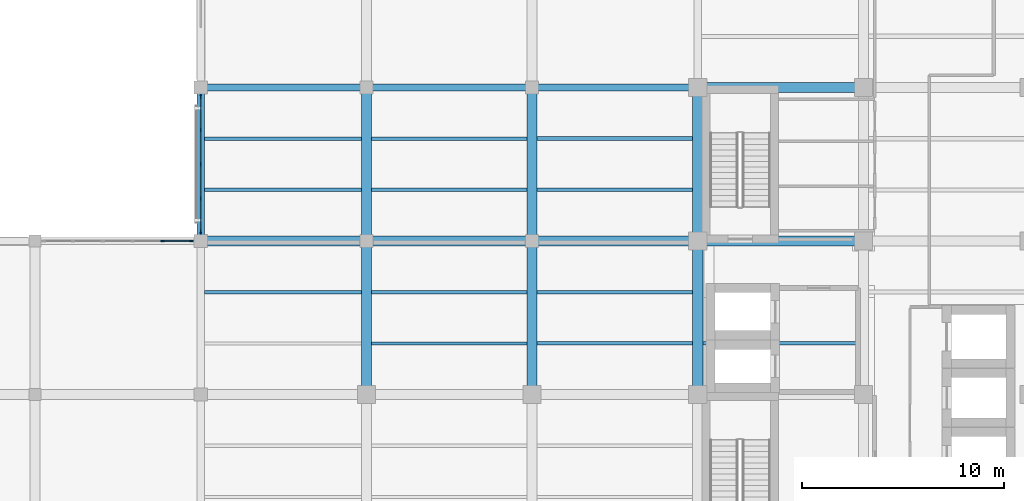
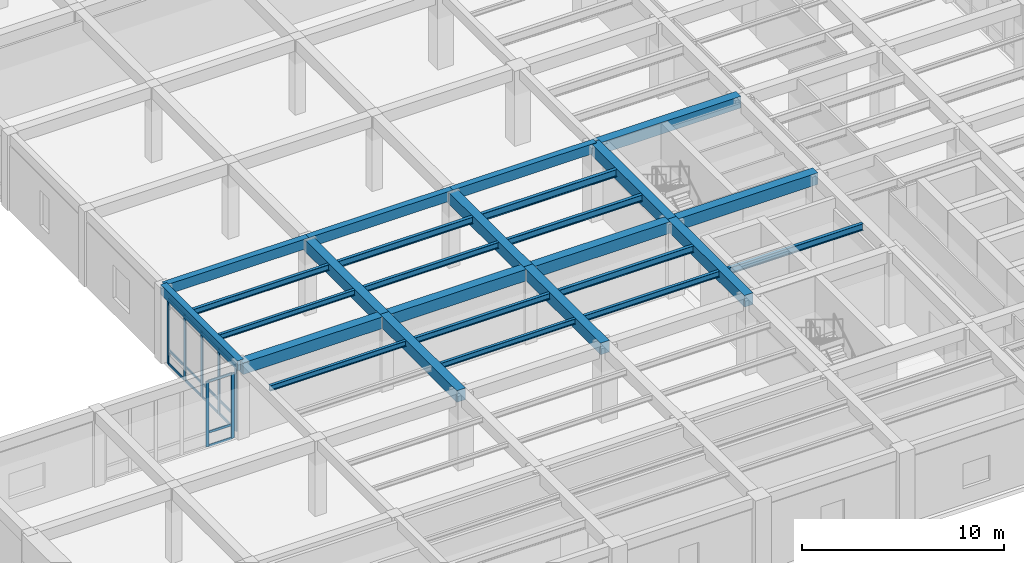
# One storey, part 12 of 49: 27 beams, 22 members, 2 elements without a shape of their own.
"""IFC4 building model written with IfcOpenShell, lengths in metres."""

from ifc_helpers import new_model, si_unit, direction, frame, origin, origin_2d, place, context, subcontext, project, spatial, rectangle, i_section, extrude, material, material_profile, profile_set, type_object, element, aggregate, save


model = new_model("IFC4")

# Units and contexts
model_context = context("Model", 3, precision=1e-05, world=origin(), true_north=direction((0.0, 1.0)))
body_context = subcontext(model_context, "Body", "Model", "MODEL_VIEW")
ifc_project = project(units=[si_unit("LENGTHUNIT", "METRE"), si_unit("AREAUNIT", "SQUARE_METRE"), si_unit("VOLUMEUNIT", "CUBIC_METRE"), si_unit("PLANEANGLEUNIT", "RADIAN"), si_unit("MASSUNIT", "GRAM", prefix="KILO")], contexts=[model_context])

# Site, building, storey
site_placement = place(None, origin())
site = spatial("IfcSite", under=ifc_project, at=site_placement, CompositionType="ELEMENT")
building_placement = place(site_placement, origin())
building = spatial("IfcBuilding", under=site, at=building_placement, Name="Qandaris Square Conservatory and Botanical Centre", CompositionType="ELEMENT")
storey_placement = place(building_placement, frame((0.0, 0.0, 10.199951171875)))
storey = spatial("IfcBuildingStorey", under=building, at=storey_placement, Name="L02", CompositionType="ELEMENT", Elevation=10.199951171875)

# Beams
ifc_material_1 = material(Name="Steel S355", Category="steel")
ifc_material_profile_1 = material_profile(ifc_material_1, i_section(OverallWidth=0.18994140625, OverallDepth=0.449951171875, WebThickness=0.009521484375, FlangeThickness=0.0146484375, FilletRadius=0.02099609375, at=origin_2d()), Name="IPE 450")
ifc_profile_set_1 = profile_set([ifc_material_profile_1], Name="Steel S355")
beam_type_1 = type_object("IfcBeamType", Name="Composite Archive Joist IPE 450", PredefinedType="JOIST", material=ifc_profile_set_1)
beam_1_placement = place(storey_placement, frame((131.25, 44.466796875, 4.275146484375), z_axis=(1.0, 0.0, 0.0), x_axis=(0.0, 1.0, 0.0)))
element("IfcBeam", 1, at=beam_1_placement, inside=storey, type_object=beam_type_1, Name="L02 Composite Joist 1484", PredefinedType="JOIST", context=body_context, shape_type="SweptSolid", body=[
    extrude(i_section(OverallWidth=0.18994140625, OverallDepth=0.449951171875, WebThickness=0.009521484375, FlangeThickness=0.0146484375, FilletRadius=0.02099609375, at=origin_2d()), origin(), (0.0, 0.0, 1.0), 7.699951171875),
])
ifc_material_profile_2 = material_profile(ifc_material_1, i_section(OverallWidth=0.159912109375, OverallDepth=0.330078125, WebThickness=0.007568359375, FlangeThickness=0.011474609375, FilletRadius=0.01806640625, at=origin_2d()), Name="IPE 330")
ifc_profile_set_2 = profile_set([ifc_material_profile_2], Name="Steel S355")
beam_type_2 = type_object("IfcBeamType", Name="Composite Lab Joist IPE 330", PredefinedType="JOIST", material=ifc_profile_set_2)
for number, where, z_axis, x_axis, name in (
    (2, (114.77490234375, 36.86669921875, 4.3349609375), (1.0, 0.0, 0.0), (0.0, 1.0, 0.0), "L02 Composite Joist 1466"),
    (3, (114.77490234375, 41.933349609375, 4.3349609375), (1.0, 0.0, 0.0), (0.0, 1.0, 0.0), "L02 Composite Joist 1467"),
):
    element("IfcBeam", number, at=place(storey_placement, frame(where, z_axis=z_axis, x_axis=x_axis)), inside=storey, type_object=beam_type_2, Name=name, PredefinedType="JOIST", context=body_context, shape_type="SweptSolid", body=[
        extrude(i_section(OverallWidth=0.159912109375, OverallDepth=0.330078125, WebThickness=0.007568359375, FlangeThickness=0.011474609375, FilletRadius=0.01806640625, at=origin_2d()), origin(), (0.0, 0.0, 1.0), 7.775146484375),
    ])
beam_2_placement = place(storey_placement, frame((123.050048828125, 34.333251953125, 4.3349609375), z_axis=(1.0, 0.0, 0.0), x_axis=(0.0, 1.0, 0.0)))
element("IfcBeam", 4, at=beam_2_placement, inside=storey, type_object=beam_type_2, Name="L02 Composite Joist 1473", PredefinedType="JOIST", context=body_context, shape_type="SweptSolid", body=[
    extrude(i_section(OverallWidth=0.159912109375, OverallDepth=0.330078125, WebThickness=0.007568359375, FlangeThickness=0.011474609375, FilletRadius=0.01806640625, at=origin_2d()), origin(), (0.0, 0.0, 1.0), 7.699951171875),
])
ifc_material_profile_3 = material_profile(ifc_material_1, i_section(OverallWidth=0.169921875, OverallDepth=0.360107421875, WebThickness=0.008056640625, FlangeThickness=0.0126953125, FilletRadius=0.01806640625, at=origin_2d()), Name="IPE 360")
ifc_profile_set_3 = profile_set([ifc_material_profile_3], Name="Steel S355")
beam_type_3 = type_object("IfcBeamType", Name="Composite Lab Joist IPE 360", PredefinedType="JOIST", material=ifc_profile_set_3)
beam_3_placement = place(storey_placement, frame((114.77490234375, 44.466796875, 4.320068359375), z_axis=(1.0, 0.0, 0.0), x_axis=(0.0, 1.0, 0.0)))
element("IfcBeam", 5, at=beam_3_placement, inside=storey, type_object=beam_type_3, Name="L02 Composite Joist 1468", PredefinedType="JOIST", context=body_context, shape_type="SweptSolid", body=[
    extrude(i_section(OverallWidth=0.169921875, OverallDepth=0.360107421875, WebThickness=0.008056640625, FlangeThickness=0.0126953125, FilletRadius=0.01806640625, at=origin_2d()), origin(), (0.0, 0.0, 1.0), 7.775146484375),
])
for number, where, z_axis, x_axis, name in (
    (6, (123.050048828125, 36.86669921875, 4.320068359375), (1.0, 0.0, 0.0), (0.0, 1.0, 0.0), "L02 Composite Joist 1474"),
    (7, (123.050048828125, 41.933349609375, 4.320068359375), (1.0, 0.0, 0.0), (0.0, 1.0, 0.0), "L02 Composite Joist 1475"),
    (8, (131.25, 34.333251953125, 4.320068359375), (1.0, 0.0, 0.0), (0.0, 1.0, 0.0), "L02 Composite Joist 1481"),
):
    element("IfcBeam", number, at=place(storey_placement, frame(where, z_axis=z_axis, x_axis=x_axis)), inside=storey, type_object=beam_type_3, Name=name, PredefinedType="JOIST", context=body_context, shape_type="SweptSolid", body=[
        extrude(i_section(OverallWidth=0.169921875, OverallDepth=0.360107421875, WebThickness=0.008056640625, FlangeThickness=0.0126953125, FilletRadius=0.01806640625, at=origin_2d()), origin(), (0.0, 0.0, 1.0), 7.699951171875),
    ])
ifc_material_profile_4 = material_profile(ifc_material_1, i_section(OverallWidth=0.179931640625, OverallDepth=0.39990234375, WebThickness=0.008544921875, FlangeThickness=0.013427734375, FilletRadius=0.02099609375, at=origin_2d()), Name="IPE 400")
ifc_profile_set_4 = profile_set([ifc_material_profile_4], Name="Steel S355")
beam_type_4 = type_object("IfcBeamType", Name="Composite Plinth Joist IPE 400", PredefinedType="JOIST", material=ifc_profile_set_4)
for number, where, z_axis, x_axis, name in (
    (9, (123.050048828125, 44.466796875, 4.300048828125), (1.0, 0.0, 0.0), (0.0, 1.0, 0.0), "L02 Composite Joist 1476"),
    (10, (131.25, 36.86669921875, 4.300048828125), (1.0, 0.0, 0.0), (0.0, 1.0, 0.0), "L02 Composite Joist 1482"),
    (11, (131.25, 41.933349609375, 4.300048828125), (1.0, 0.0, 0.0), (0.0, 1.0, 0.0), "L02 Composite Joist 1483"),
    (12, (139.449951171875, 34.333251953125, 4.300048828125), (1.0, 0.0, 0.0), (0.0, 1.0, 0.0), "L02 Composite Joist 1487"),
):
    element("IfcBeam", number, at=place(storey_placement, frame(where, z_axis=z_axis, x_axis=x_axis)), inside=storey, type_object=beam_type_4, Name=name, PredefinedType="JOIST", context=body_context, shape_type="SweptSolid", body=[
        extrude(i_section(OverallWidth=0.179931640625, OverallDepth=0.39990234375, WebThickness=0.008544921875, FlangeThickness=0.013427734375, FilletRadius=0.02099609375, at=origin_2d()), origin(), (0.0, 0.0, 1.0), 7.699951171875),
    ])

# Curtain wall, members
ifc_material_2 = material(Name="Anodised Aluminium", Category="aluminium")
curtain_wall_type_1 = type_object("IfcCurtainWallType", Name="Unitised Curtain Wall CW-4-675x394", PredefinedType="USERDEFINED", material=ifc_material_2)
curtain_wall_1_placement = place(storey_placement, origin())
curtain_wall_1 = element("IfcCurtainWall", 13, at=curtain_wall_1_placement, inside=storey, type_object=curtain_wall_type_1, Name="Curtain Wall CW-TWR-L02-4-8", ObjectType="GLAZED CURTAIN WALL", PredefinedType="USERDEFINED")
ifc_material_profile_5 = material_profile(ifc_material_2, rectangle(XDim=0.06494140625, YDim=0.179931640625, at=origin_2d()), Name="ALU-MUL 65x180")
ifc_profile_set_5 = profile_set([ifc_material_profile_5], Name="Anodised Aluminium")
member_type_1 = type_object("IfcMemberType", Name="Curtain Wall Mullion 65x180", PredefinedType="MULLION", material=ifc_profile_set_5)
member_1_placement = place(storey_placement, frame((114.60009765625, 46.54248046875, 0.0), z_axis=(0.0, 0.0, 1.0), x_axis=(1.0, 0.0, 0.0)))
member_1 = element("IfcMember", 14, at=member_1_placement, type_object=member_type_1, Name="CW-4-675x394 mullion 1", PredefinedType="MULLION", context=body_context, shape_type="SweptSolid", body=[
    extrude(rectangle(XDim=0.06494140625, YDim=0.179931640625, at=origin_2d()), origin(), (0.0, 0.0, 1.0), 3.945068359375),
])
member_2_placement = place(storey_placement, frame((114.60009765625, 44.887451171875, 0.0), z_axis=(0.0, 0.0, 1.0), x_axis=(1.0, 0.0, 0.0)))
member_2 = element("IfcMember", 15, at=member_2_placement, type_object=member_type_1, Name="CW-4-675x394 mullion 2", PredefinedType="MULLION", context=body_context, shape_type="SweptSolid", body=[
    extrude(rectangle(XDim=0.06494140625, YDim=0.179931640625, at=origin_2d()), origin(), (0.0, 0.0, 1.0), 3.945068359375),
])
member_3_placement = place(storey_placement, frame((114.60009765625, 43.199951171875, 0.0), z_axis=(0.0, 0.0, 1.0), x_axis=(1.0, 0.0, 0.0)))
member_3 = element("IfcMember", 16, at=member_3_placement, type_object=member_type_1, Name="CW-4-675x394 mullion 3", PredefinedType="MULLION", context=body_context, shape_type="SweptSolid", body=[
    extrude(rectangle(XDim=0.06494140625, YDim=0.179931640625, at=origin_2d()), origin(), (0.0, 0.0, 1.0), 3.945068359375),
])
member_4_placement = place(storey_placement, frame((114.60009765625, 41.512451171875, 0.0), z_axis=(0.0, 0.0, 1.0), x_axis=(1.0, 0.0, 0.0)))
member_4 = element("IfcMember", 17, at=member_4_placement, type_object=member_type_1, Name="CW-4-675x394 mullion 4", PredefinedType="MULLION", context=body_context, shape_type="SweptSolid", body=[
    extrude(rectangle(XDim=0.06494140625, YDim=0.179931640625, at=origin_2d()), origin(), (0.0, 0.0, 1.0), 3.945068359375),
])
member_5_placement = place(storey_placement, frame((114.60009765625, 39.857421875, 0.0), z_axis=(0.0, 0.0, 1.0), x_axis=(1.0, 0.0, 0.0)))
member_5 = element("IfcMember", 18, at=member_5_placement, type_object=member_type_1, Name="CW-4-675x394 mullion 5", PredefinedType="MULLION", context=body_context, shape_type="SweptSolid", body=[
    extrude(rectangle(XDim=0.06494140625, YDim=0.179931640625, at=origin_2d()), origin(), (0.0, 0.0, 1.0), 3.945068359375),
])

curtain_wall_type_2 = type_object("IfcCurtainWallType", Name="Unitised Curtain Wall CW-4-738x394", PredefinedType="USERDEFINED", material=ifc_material_2)
curtain_wall_2_placement = place(storey_placement, origin())
curtain_wall_2 = element("IfcCurtainWall", 19, at=curtain_wall_2_placement, inside=storey, type_object=curtain_wall_type_2, Name="Curtain Wall CW-TWR-L02-5-1", ObjectType="GLAZED CURTAIN WALL", PredefinedType="USERDEFINED")
member_6_placement = place(storey_placement, frame((114.142578125, 39.39990234375, 0.0), z_axis=(0.0, 0.0, 1.0), x_axis=(0.0, -1.0, 0.0)))
member_6 = element("IfcMember", 20, at=member_6_placement, type_object=member_type_1, Name="CW-4-738x394 mullion 1", PredefinedType="MULLION", context=body_context, shape_type="SweptSolid", body=[
    extrude(rectangle(XDim=0.06494140625, YDim=0.179931640625, at=origin_2d()), origin(), (0.0, 0.0, 1.0), 3.945068359375),
])
member_7_placement = place(storey_placement, frame((112.699951171875, 39.39990234375, 0.0), z_axis=(0.0, 0.0, 1.0), x_axis=(0.0, -1.0, 0.0)))
member_7 = element("IfcMember", 21, at=member_7_placement, type_object=member_type_1, Name="CW-4-738x394 mullion 2", PredefinedType="MULLION", context=body_context, shape_type="SweptSolid", body=[
    extrude(rectangle(XDim=0.06494140625, YDim=0.179931640625, at=origin_2d()), origin(), (0.0, 0.0, 1.0), 3.945068359375),
])

# Member
ifc_material_profile_6 = material_profile(ifc_material_2, rectangle(XDim=0.06494140625, YDim=0.139892578125, at=origin_2d()), Name="ALU-TRN 65x140")
ifc_profile_set_6 = profile_set([ifc_material_profile_6], Name="Anodised Aluminium")
member_type_2 = type_object("IfcMemberType", Name="Curtain Wall Transom 65x140", PredefinedType="USERDEFINED", material=ifc_profile_set_6)
member_8_placement = place(storey_placement, frame((114.60009765625, 46.510009765625, 0.032470703125), z_axis=(0.0, -1.0, 0.0), x_axis=(1.0, 0.0, 0.0)))
member_8 = element("IfcMember", 22, at=member_8_placement, type_object=member_type_2, Name="CW-4-675x394 transom 1.1", ObjectType="TRANSOM", PredefinedType="USERDEFINED", context=body_context, shape_type="SweptSolid", body=[
    extrude(rectangle(XDim=0.06494140625, YDim=0.139892578125, at=origin_2d()), origin(), (0.0, 0.0, 1.0), 1.590087890625),
])

member_9_placement = place(storey_placement, frame((114.60009765625, 46.510009765625, 0.85009765625), z_axis=(0.0, -1.0, 0.0), x_axis=(1.0, 0.0, 0.0)))
member_9 = element("IfcMember", 23, at=member_9_placement, type_object=member_type_2, Name="CW-4-675x394 transom 1.2", ObjectType="TRANSOM", PredefinedType="USERDEFINED", context=body_context, shape_type="SweptSolid", body=[
    extrude(rectangle(XDim=0.06494140625, YDim=0.139892578125, at=origin_2d()), origin(), (0.0, 0.0, 1.0), 1.590087890625),
])

member_10_placement = place(storey_placement, frame((114.60009765625, 46.510009765625, 3.91259765625), z_axis=(0.0, -1.0, 0.0), x_axis=(1.0, 0.0, 0.0)))
member_10 = element("IfcMember", 24, at=member_10_placement, type_object=member_type_2, Name="CW-4-675x394 transom 1.3", ObjectType="TRANSOM", PredefinedType="USERDEFINED", context=body_context, shape_type="SweptSolid", body=[
    extrude(rectangle(XDim=0.06494140625, YDim=0.139892578125, at=origin_2d()), origin(), (0.0, 0.0, 1.0), 1.590087890625),
])

member_11_placement = place(storey_placement, frame((114.60009765625, 44.85498046875, 0.032470703125), z_axis=(0.0, -1.0, 0.0), x_axis=(1.0, 0.0, 0.0)))
member_11 = element("IfcMember", 25, at=member_11_placement, type_object=member_type_2, Name="CW-4-675x394 transom 2.1", ObjectType="TRANSOM", PredefinedType="USERDEFINED", context=body_context, shape_type="SweptSolid", body=[
    extrude(rectangle(XDim=0.06494140625, YDim=0.139892578125, at=origin_2d()), origin(), (0.0, 0.0, 1.0), 1.62255859375),
])

member_12_placement = place(storey_placement, frame((114.60009765625, 44.85498046875, 0.85009765625), z_axis=(0.0, -1.0, 0.0), x_axis=(1.0, 0.0, 0.0)))
member_12 = element("IfcMember", 26, at=member_12_placement, type_object=member_type_2, Name="CW-4-675x394 transom 2.2", ObjectType="TRANSOM", PredefinedType="USERDEFINED", context=body_context, shape_type="SweptSolid", body=[
    extrude(rectangle(XDim=0.06494140625, YDim=0.139892578125, at=origin_2d()), origin(), (0.0, 0.0, 1.0), 1.62255859375),
])

member_13_placement = place(storey_placement, frame((114.60009765625, 44.85498046875, 3.91259765625), z_axis=(0.0, -1.0, 0.0), x_axis=(1.0, 0.0, 0.0)))
member_13 = element("IfcMember", 27, at=member_13_placement, type_object=member_type_2, Name="CW-4-675x394 transom 2.3", ObjectType="TRANSOM", PredefinedType="USERDEFINED", context=body_context, shape_type="SweptSolid", body=[
    extrude(rectangle(XDim=0.06494140625, YDim=0.139892578125, at=origin_2d()), origin(), (0.0, 0.0, 1.0), 1.62255859375),
])

member_14_placement = place(storey_placement, frame((114.60009765625, 43.16748046875, 0.032470703125), z_axis=(0.0, -1.0, 0.0), x_axis=(1.0, 0.0, 0.0)))
member_14 = element("IfcMember", 28, at=member_14_placement, type_object=member_type_2, Name="CW-4-675x394 transom 3.1", ObjectType="TRANSOM", PredefinedType="USERDEFINED", context=body_context, shape_type="SweptSolid", body=[
    extrude(rectangle(XDim=0.06494140625, YDim=0.139892578125, at=origin_2d()), origin(), (0.0, 0.0, 1.0), 1.62255859375),
])

member_15_placement = place(storey_placement, frame((114.60009765625, 43.16748046875, 0.85009765625), z_axis=(0.0, -1.0, 0.0), x_axis=(1.0, 0.0, 0.0)))
member_15 = element("IfcMember", 29, at=member_15_placement, type_object=member_type_2, Name="CW-4-675x394 transom 3.2", ObjectType="TRANSOM", PredefinedType="USERDEFINED", context=body_context, shape_type="SweptSolid", body=[
    extrude(rectangle(XDim=0.06494140625, YDim=0.139892578125, at=origin_2d()), origin(), (0.0, 0.0, 1.0), 1.62255859375),
])

member_16_placement = place(storey_placement, frame((114.60009765625, 43.16748046875, 3.91259765625), z_axis=(0.0, -1.0, 0.0), x_axis=(1.0, 0.0, 0.0)))
member_16 = element("IfcMember", 30, at=member_16_placement, type_object=member_type_2, Name="CW-4-675x394 transom 3.3", ObjectType="TRANSOM", PredefinedType="USERDEFINED", context=body_context, shape_type="SweptSolid", body=[
    extrude(rectangle(XDim=0.06494140625, YDim=0.139892578125, at=origin_2d()), origin(), (0.0, 0.0, 1.0), 1.62255859375),
])

member_17_placement = place(storey_placement, frame((114.60009765625, 41.47998046875, 0.032470703125), z_axis=(0.0, -1.0, 0.0), x_axis=(1.0, 0.0, 0.0)))
member_17 = element("IfcMember", 31, at=member_17_placement, type_object=member_type_2, Name="CW-4-675x394 transom 4.1", ObjectType="TRANSOM", PredefinedType="USERDEFINED", context=body_context, shape_type="SweptSolid", body=[
    extrude(rectangle(XDim=0.06494140625, YDim=0.139892578125, at=origin_2d()), origin(), (0.0, 0.0, 1.0), 1.590087890625),
])

member_18_placement = place(storey_placement, frame((114.60009765625, 41.47998046875, 0.85009765625), z_axis=(0.0, -1.0, 0.0), x_axis=(1.0, 0.0, 0.0)))
member_18 = element("IfcMember", 32, at=member_18_placement, type_object=member_type_2, Name="CW-4-675x394 transom 4.2", ObjectType="TRANSOM", PredefinedType="USERDEFINED", context=body_context, shape_type="SweptSolid", body=[
    extrude(rectangle(XDim=0.06494140625, YDim=0.139892578125, at=origin_2d()), origin(), (0.0, 0.0, 1.0), 1.590087890625),
])

member_19_placement = place(storey_placement, frame((114.60009765625, 41.47998046875, 3.91259765625), z_axis=(0.0, -1.0, 0.0), x_axis=(1.0, 0.0, 0.0)))
member_19 = element("IfcMember", 33, at=member_19_placement, type_object=member_type_2, Name="CW-4-675x394 transom 4.3", ObjectType="TRANSOM", PredefinedType="USERDEFINED", context=body_context, shape_type="SweptSolid", body=[
    extrude(rectangle(XDim=0.06494140625, YDim=0.139892578125, at=origin_2d()), origin(), (0.0, 0.0, 1.0), 1.590087890625),
])

aggregate(curtain_wall_1, [member_1, member_2, member_3, member_4, member_5, member_8, member_9, member_10, member_11, member_12, member_13, member_14, member_15, member_16, member_17, member_18, member_19])

member_20_placement = place(storey_placement, frame((114.110107421875, 39.39990234375, 0.032470703125), z_axis=(-1.0, 0.0, 0.0), x_axis=(0.0, -1.0, 0.0)))
member_20 = element("IfcMember", 34, at=member_20_placement, type_object=member_type_2, Name="CW-4-738x394 transom 1.1", ObjectType="TRANSOM", PredefinedType="USERDEFINED", context=body_context, shape_type="SweptSolid", body=[
    extrude(rectangle(XDim=0.06494140625, YDim=0.139892578125, at=origin_2d()), origin(), (0.0, 0.0, 1.0), 1.377685546875),
])

member_21_placement = place(storey_placement, frame((114.110107421875, 39.39990234375, 0.85009765625), z_axis=(-1.0, 0.0, 0.0), x_axis=(0.0, -1.0, 0.0)))
member_21 = element("IfcMember", 35, at=member_21_placement, type_object=member_type_2, Name="CW-4-738x394 transom 1.2", ObjectType="TRANSOM", PredefinedType="USERDEFINED", context=body_context, shape_type="SweptSolid", body=[
    extrude(rectangle(XDim=0.06494140625, YDim=0.139892578125, at=origin_2d()), origin(), (0.0, 0.0, 1.0), 1.377685546875),
])

member_22_placement = place(storey_placement, frame((114.110107421875, 39.39990234375, 3.91259765625), z_axis=(-1.0, 0.0, 0.0), x_axis=(0.0, -1.0, 0.0)))
member_22 = element("IfcMember", 36, at=member_22_placement, type_object=member_type_2, Name="CW-4-738x394 transom 1.3", ObjectType="TRANSOM", PredefinedType="USERDEFINED", context=body_context, shape_type="SweptSolid", body=[
    extrude(rectangle(XDim=0.06494140625, YDim=0.139892578125, at=origin_2d()), origin(), (0.0, 0.0, 1.0), 1.377685546875),
])

aggregate(curtain_wall_2, [member_6, member_7, member_20, member_21, member_22])

# Beams
ifc_material_3 = material(Name="Concrete C50/60", Category="concrete")
ifc_material_profile_7 = material_profile(ifc_material_3, rectangle(XDim=0.35009765625, YDim=0.60009765625, at=origin_2d()), Name="RC-SP 350x600")
ifc_profile_set_7 = profile_set([ifc_material_profile_7], Name="Concrete C50/60")
beam_type_5 = type_object("IfcBeamType", Name="RC Edge Spandrel Beam 350x600", PredefinedType="SPANDREL", material=ifc_profile_set_7)
for number, where, z_axis, x_axis, name in (
    (37, (114.60009765625, 47.0, 4.2451171875), (1.0, 0.0, 0.0), (0.0, 1.0, 0.0), "L02 Frame Beam 1330"),
    (38, (122.800048828125, 47.0, 4.2451171875), (1.0, 0.0, 0.0), (0.0, 1.0, 0.0), "L02 Frame Beam 1331"),
    (39, (131.0, 47.0, 4.2451171875), (1.0, 0.0, 0.0), (0.0, 1.0, 0.0), "L02 Frame Beam 1332"),
):
    element("IfcBeam", number, at=place(storey_placement, frame(where, z_axis=z_axis, x_axis=x_axis)), inside=storey, type_object=beam_type_5, Name=name, PredefinedType="SPANDREL", context=body_context, shape_type="SweptSolid", body=[
        extrude(rectangle(XDim=0.35009765625, YDim=0.60009765625, at=origin_2d()), origin(), (0.0, 0.0, 1.0), 8.199951171875),
    ])
beam_4_placement = place(storey_placement, frame((114.60009765625, 39.39990234375, 4.2451171875), z_axis=(0.0, 1.0, 0.0), x_axis=(-1.0, 0.0, 0.0)))
element("IfcBeam", 40, at=beam_4_placement, inside=storey, type_object=beam_type_5, Name="L02 Frame Beam 1387", PredefinedType="SPANDREL", context=body_context, shape_type="SweptSolid", body=[
    extrude(rectangle(XDim=0.35009765625, YDim=0.60009765625, at=origin_2d()), origin(), (0.0, 0.0, 1.0), 7.60009765625),
])
ifc_material_profile_8 = material_profile(ifc_material_3, rectangle(XDim=0.5, YDim=0.699951171875, at=origin_2d()), Name="RC-BM 500x700")
ifc_profile_set_8 = profile_set([ifc_material_profile_8], Name="Concrete C50/60")
beam_type_6 = type_object("IfcBeamType", Name="RC Floor Girder 500x700", PredefinedType="BEAM", material=ifc_profile_set_8)
for number, where, z_axis, x_axis, name in (
    (41, (114.60009765625, 39.39990234375, 4.16015625), (1.0, 0.0, 0.0), (0.0, 1.0, 0.0), "L02 Frame Beam 1324"),
    (42, (122.800048828125, 39.39990234375, 4.16015625), (1.0, 0.0, 0.0), (0.0, 1.0, 0.0), "L02 Frame Beam 1325"),
    (43, (131.0, 39.39990234375, 4.16015625), (1.0, 0.0, 0.0), (0.0, 1.0, 0.0), "L02 Frame Beam 1326"),
    (44, (139.199951171875, 39.39990234375, 4.16015625), (1.0, 0.0, 0.0), (0.0, 1.0, 0.0), "L02 Frame Beam 1327"),
    (45, (139.199951171875, 47.0, 4.16015625), (1.0, 0.0, 0.0), (0.0, 1.0, 0.0), "L02 Frame Beam 1333"),
):
    element("IfcBeam", number, at=place(storey_placement, frame(where, z_axis=z_axis, x_axis=x_axis)), inside=storey, type_object=beam_type_6, Name=name, PredefinedType="BEAM", context=body_context, shape_type="SweptSolid", body=[
        extrude(rectangle(XDim=0.5, YDim=0.699951171875, at=origin_2d()), origin(), (0.0, 0.0, 1.0), 8.199951171875),
    ])
beam_5_placement = place(storey_placement, frame((122.800048828125, 31.800048828125, 4.16015625), z_axis=(0.0, 1.0, 0.0), x_axis=(-1.0, 0.0, 0.0)))
element("IfcBeam", 46, at=beam_5_placement, inside=storey, type_object=beam_type_6, Name="L02 Frame Beam 1397", PredefinedType="BEAM", context=body_context, shape_type="SweptSolid", body=[
    extrude(rectangle(XDim=0.5, YDim=0.699951171875, at=origin_2d()), origin(), (0.0, 0.0, 1.0), 7.599853515625),
])
beam_6_placement = place(storey_placement, frame((122.800048828125, 39.39990234375, 4.16015625), z_axis=(0.0, 1.0, 0.0), x_axis=(-1.0, 0.0, 0.0)))
element("IfcBeam", 47, at=beam_6_placement, inside=storey, type_object=beam_type_6, Name="L02 Frame Beam 1398", PredefinedType="BEAM", context=body_context, shape_type="SweptSolid", body=[
    extrude(rectangle(XDim=0.5, YDim=0.699951171875, at=origin_2d()), origin(), (0.0, 0.0, 1.0), 7.60009765625),
])
beam_7_placement = place(storey_placement, frame((131.0, 31.800048828125, 4.16015625), z_axis=(0.0, 1.0, 0.0), x_axis=(-1.0, 0.0, 0.0)))
element("IfcBeam", 48, at=beam_7_placement, inside=storey, type_object=beam_type_6, Name="L02 Frame Beam 1408", PredefinedType="BEAM", context=body_context, shape_type="SweptSolid", body=[
    extrude(rectangle(XDim=0.5, YDim=0.699951171875, at=origin_2d()), origin(), (0.0, 0.0, 1.0), 7.599853515625),
])
beam_8_placement = place(storey_placement, frame((131.0, 39.39990234375, 4.16015625), z_axis=(0.0, 1.0, 0.0), x_axis=(-1.0, 0.0, 0.0)))
element("IfcBeam", 49, at=beam_8_placement, inside=storey, type_object=beam_type_6, Name="L02 Frame Beam 1409", PredefinedType="BEAM", context=body_context, shape_type="SweptSolid", body=[
    extrude(rectangle(XDim=0.5, YDim=0.699951171875, at=origin_2d()), origin(), (0.0, 0.0, 1.0), 7.60009765625),
])
beam_9_placement = place(storey_placement, frame((139.199951171875, 31.800048828125, 4.16015625), z_axis=(0.0, 1.0, 0.0), x_axis=(-1.0, 0.0, 0.0)))
element("IfcBeam", 50, at=beam_9_placement, inside=storey, type_object=beam_type_6, Name="L02 Frame Beam 1419", PredefinedType="BEAM", context=body_context, shape_type="SweptSolid", body=[
    extrude(rectangle(XDim=0.5, YDim=0.699951171875, at=origin_2d()), origin(), (0.0, 0.0, 1.0), 7.599853515625),
])
beam_10_placement = place(storey_placement, frame((139.199951171875, 39.39990234375, 4.16015625), z_axis=(0.0, 1.0, 0.0), x_axis=(-1.0, 0.0, 0.0)))
element("IfcBeam", 51, at=beam_10_placement, inside=storey, type_object=beam_type_6, Name="L02 Frame Beam 1420", PredefinedType="BEAM", context=body_context, shape_type="SweptSolid", body=[
    extrude(rectangle(XDim=0.5, YDim=0.699951171875, at=origin_2d()), origin(), (0.0, 0.0, 1.0), 7.60009765625),
])

save(model, "model.ifc")
